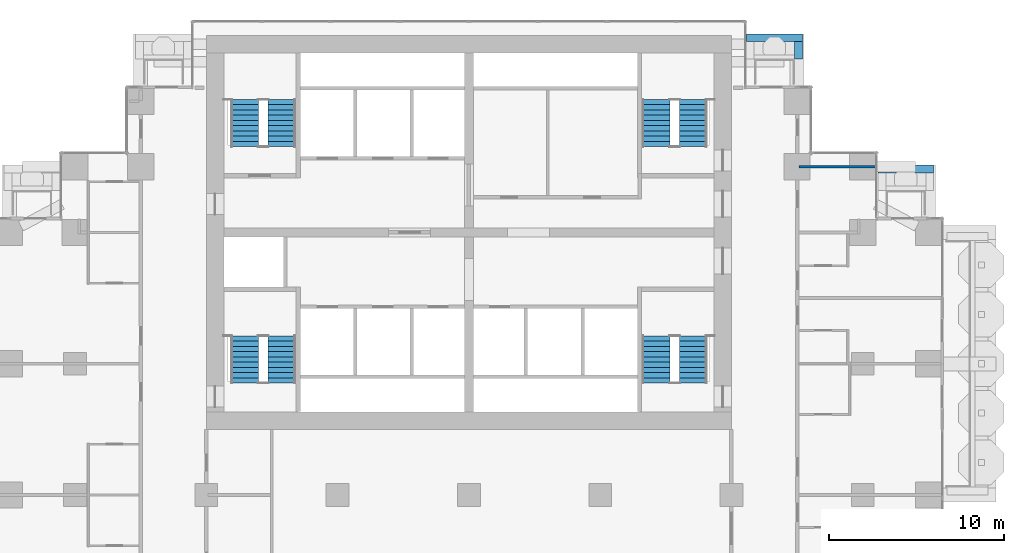
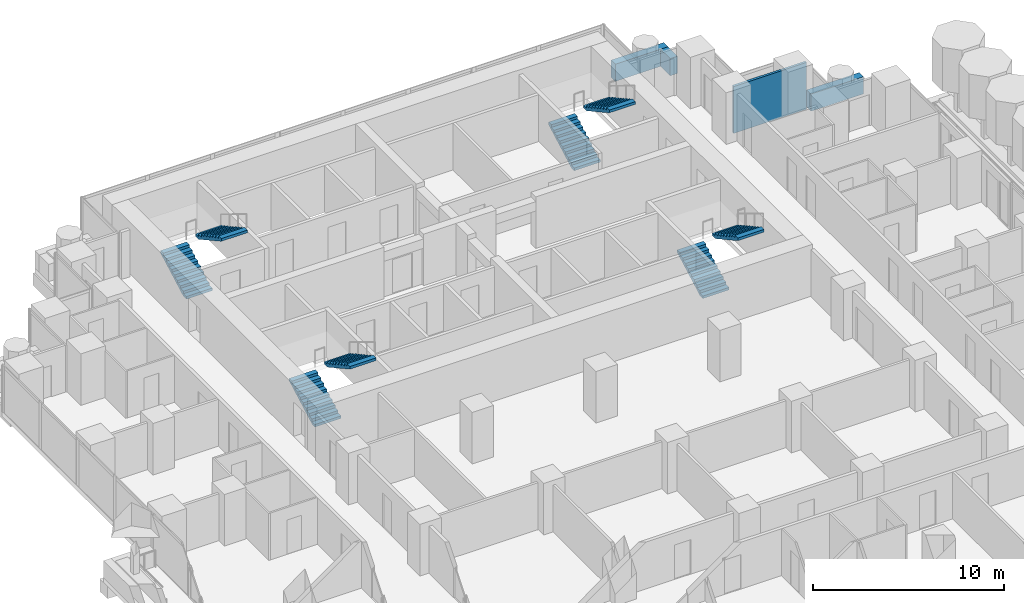
# One storey, part 16 of 19: 8 stair flights, 4 walls, 4 elements without a shape of their own.
"""IFC4 building model written with IfcOpenShell, lengths in metres."""

from ifc_helpers import new_model, si_unit, direction, frame, frame_2d, origin, place, context, subcontext, project, spatial, polyline, rectangle, outline, extrude, material, layer, layer_set, type_object, element, aggregate, save


model = new_model("IFC4")

# Units and contexts
model_context = context("Model", 3, precision=1e-05, world=origin(), true_north=direction((0.0, 1.0)))
body_context = subcontext(model_context, "Body", "Model", "MODEL_VIEW")
ifc_project = project(units=[si_unit("LENGTHUNIT", "METRE"), si_unit("AREAUNIT", "SQUARE_METRE"), si_unit("VOLUMEUNIT", "CUBIC_METRE"), si_unit("PLANEANGLEUNIT", "RADIAN"), si_unit("MASSUNIT", "GRAM", prefix="KILO")], contexts=[model_context])

# Site, building, storey
site_placement = place(None, origin())
site = spatial("IfcSite", under=ifc_project, at=site_placement, CompositionType="ELEMENT")
building_placement = place(site_placement, origin())
building = spatial("IfcBuilding", under=site, at=building_placement, Name="Pilkhan Gate Tower", CompositionType="ELEMENT")
storey_placement = place(building_placement, frame((0.0, 0.0, 79.10009765625)))
storey = spatial("IfcBuildingStorey", under=building, at=storey_placement, Name="L18", CompositionType="ELEMENT", Elevation=79.10009765625)

# Walls
ifc_material_1 = material(Name="Board-marked Concrete C40/50", Category="concrete")
ifc_layer_1 = layer(ifc_material_1, 0.449951171875)
ifc_layer_set_1 = layer_set([ifc_layer_1], Name="Balcony planter lip BL450")
wall_type_1 = type_object("IfcWallType", Name="Balcony planter lip BL450", PredefinedType="USERDEFINED", material=ifc_layer_set_1)
wall_1_placement = place(storey_placement, frame((90.85009765625, 93.625, 0.0), z_axis=(0.0, 0.0, 1.0), x_axis=(1.0, 0.0, 0.0)))
element("IfcWall", 1, at=wall_1_placement, inside=storey, type_object=wall_type_1, Name="Balcony planter L18 N", ObjectType="BALCONY PLANTER", PredefinedType="USERDEFINED", context=body_context, shape_type="SweptSolid", body=[
    extrude(rectangle(XDim=3.199951171875, YDim=0.449951171875, at=frame_2d((1.60009765625, 0.0))), origin(), (0.0, 0.0, 1.0), 1.099853515625),
])
wall_2_placement = place(storey_placement, frame((93.824951171875, 92.39990234375, 0.0), z_axis=(0.0, 0.0, 1.0), x_axis=(0.0, 1.0, 0.0)))
element("IfcWall", 2, at=wall_2_placement, inside=storey, type_object=wall_type_1, Name="Balcony planter L18 N", ObjectType="BALCONY PLANTER", PredefinedType="USERDEFINED", context=body_context, shape_type="SweptSolid", body=[
    extrude(rectangle(XDim=1.0, YDim=0.449951171875, at=frame_2d((0.5, 0.0))), origin(), (0.0, 0.0, 1.0), 1.099853515625),
])
wall_3_placement = place(storey_placement, frame((98.3701171875, 86.125, 0.0), z_axis=(0.0, 0.0, 1.0), x_axis=(1.0, 0.0, 0.0)))
element("IfcWall", 3, at=wall_3_placement, inside=storey, type_object=wall_type_1, Name="Balcony planter L18 N", ObjectType="BALCONY PLANTER", PredefinedType="USERDEFINED", context=body_context, shape_type="SweptSolid", body=[
    extrude(rectangle(XDim=3.179931640625, YDim=0.449951171875, at=frame_2d((1.58984375, 0.0))), origin(), (0.0, 0.0, 1.0), 1.099853515625),
])
ifc_material_2 = material(Name="Blockwork partition, plastered both sides", Category="masonry")
ifc_layer_2 = layer(ifc_material_2, 0.14990234375)
ifc_layer_set_2 = layer_set([ifc_layer_2], Name="Partition PW150")
wall_type_2 = type_object("IfcWallType", Name="Partition PW150", PredefinedType="PARTITIONING", material=ifc_layer_set_2)
wall_4_placement = place(storey_placement, frame((93.85009765625, 86.25, 0.0), z_axis=(0.0, 0.0, 1.0), x_axis=(1.0, 0.0, 0.0)))
element("IfcWall", 4, at=wall_4_placement, inside=storey, type_object=wall_type_2, Name="Partition L18", PredefinedType="PARTITIONING", context=body_context, shape_type="SweptSolid", body=[
    extrude(rectangle(XDim=4.414794921875, YDim=0.14990234375, at=frame_2d((2.20751953125, 0.0))), origin(), (0.0, 0.0, 1.0), 3.0),
])

# Stair, stair flights
ifc_material_3 = material(Name="Concrete C40/50 precast", Category="concrete")
stair_type_1 = type_object("IfcStairType", Name="Stair ST1 165x300", PredefinedType="HALF_TURN_STAIR", material=ifc_material_3)
stair_1_placement = place(storey_placement, origin())
stair_1 = element("IfcStair", 5, at=stair_1_placement, inside=storey, type_object=stair_type_1, Name="Stair ST1 L18", PredefinedType="HALF_TURN_STAIR")
stair_flight_type_1 = type_object("IfcStairFlightType", Name="Stair flight ST1 165x300x10", PredefinedType="STRAIGHT", material=ifc_material_3)
stair_flight_1_placement = place(storey_placement, frame((85.68994140625, 73.89990234375, 0.0), z_axis=(0.0, 0.0, 1.0), x_axis=(0.0, 1.0, 0.0)))
stair_flight_1 = element("IfcStairFlight", 6, at=stair_flight_1_placement, type_object=stair_flight_type_1, Name="ST1 flight 1", NumberOfRisers=10, NumberOfTreads=9, PredefinedType="STRAIGHT", RiserHeight=0.165, TreadLength=0.3, context=body_context, shape_type="SweptSolid", body=[
    extrude(outline(polyline([(0.0, 0.0), (0.0, 0.1650390625), (0.300048828125, 0.1650390625), (0.300048828125, 0.330078125), (0.60009765625, 0.330078125), (0.60009765625, 0.4951171875), (0.89990234375, 0.4951171875), (0.89990234375, 0.659912109375), (1.199951171875, 0.659912109375), (1.199951171875, 0.824951171875), (1.5, 0.824951171875), (1.5, 0.989990234375), (1.800048828125, 0.989990234375), (1.800048828125, 1.155029296875), (2.10009765625, 1.155029296875), (2.10009765625, 1.320068359375), (2.39990234375, 1.320068359375), (2.39990234375, 1.485107421875), (2.699951171875, 1.485107421875), (2.699951171875, 1.64990234375), (2.699951171875, 1.31396484375), (0.31103515625, 0.0), (0.0, 0.0)])), frame((0.0, 0.7900390625, 0.0), z_axis=(0.0, -1.0, 0.0), x_axis=(1.0, 0.0, 0.0)), (0.0, 0.0, 1.0), 1.580078125),
])
stair_flight_2_placement = place(storey_placement, frame((87.81005859375, 76.60009765625, 1.64990234375), z_axis=(0.0, 0.0, 1.0), x_axis=(0.0, -1.0, 0.0)))
stair_flight_2 = element("IfcStairFlight", 7, at=stair_flight_2_placement, type_object=stair_flight_type_1, Name="ST1 flight 2", NumberOfRisers=10, NumberOfTreads=9, PredefinedType="STRAIGHT", RiserHeight=0.165, TreadLength=0.3, context=body_context, shape_type="SweptSolid", body=[
    extrude(outline(polyline([(0.0, 0.0), (0.0, 0.1650390625), (0.300048828125, 0.1650390625), (0.300048828125, 0.330078125), (0.60009765625, 0.330078125), (0.60009765625, 0.4951171875), (0.89990234375, 0.4951171875), (0.89990234375, 0.659912109375), (1.199951171875, 0.659912109375), (1.199951171875, 0.824951171875), (1.5, 0.824951171875), (1.5, 0.989990234375), (1.800048828125, 0.989990234375), (1.800048828125, 1.155029296875), (2.10009765625, 1.155029296875), (2.10009765625, 1.320068359375), (2.39990234375, 1.320068359375), (2.39990234375, 1.485107421875), (2.699951171875, 1.485107421875), (2.699951171875, 1.64990234375), (2.699951171875, 1.31396484375), (0.31103515625, 0.0), (0.0, 0.0)])), frame((0.0, 0.7900390625, 0.0), z_axis=(0.0, -1.0, 0.0), x_axis=(1.0, 0.0, 0.0)), (0.0, 0.0, 1.0), 1.580078125),
])
aggregate(stair_1, [stair_flight_1, stair_flight_2])

stair_type_2 = type_object("IfcStairType", Name="Stair ST2 165x300", PredefinedType="HALF_TURN_STAIR", material=ifc_material_3)
stair_2_placement = place(storey_placement, origin())
stair_2 = element("IfcStair", 8, at=stair_2_placement, inside=storey, type_object=stair_type_2, Name="Stair ST2 L18", PredefinedType="HALF_TURN_STAIR")
stair_flight_type_2 = type_object("IfcStairFlightType", Name="Stair flight ST2 165x300x10", PredefinedType="STRAIGHT", material=ifc_material_3)
stair_flight_3_placement = place(storey_placement, frame((62.18994140625, 73.89990234375, 0.0), z_axis=(0.0, 0.0, 1.0), x_axis=(0.0, 1.0, 0.0)))
stair_flight_3 = element("IfcStairFlight", 9, at=stair_flight_3_placement, type_object=stair_flight_type_2, Name="ST2 flight 1", NumberOfRisers=10, NumberOfTreads=9, PredefinedType="STRAIGHT", RiserHeight=0.165, TreadLength=0.3, context=body_context, shape_type="SweptSolid", body=[
    extrude(outline(polyline([(0.0, 0.0), (0.0, 0.1650390625), (0.300048828125, 0.1650390625), (0.300048828125, 0.330078125), (0.60009765625, 0.330078125), (0.60009765625, 0.4951171875), (0.89990234375, 0.4951171875), (0.89990234375, 0.659912109375), (1.199951171875, 0.659912109375), (1.199951171875, 0.824951171875), (1.5, 0.824951171875), (1.5, 0.989990234375), (1.800048828125, 0.989990234375), (1.800048828125, 1.155029296875), (2.10009765625, 1.155029296875), (2.10009765625, 1.320068359375), (2.39990234375, 1.320068359375), (2.39990234375, 1.485107421875), (2.699951171875, 1.485107421875), (2.699951171875, 1.64990234375), (2.699951171875, 1.31396484375), (0.31103515625, 0.0), (0.0, 0.0)])), frame((0.0, 0.7900390625, 0.0), z_axis=(0.0, -1.0, 0.0), x_axis=(1.0, 0.0, 0.0)), (0.0, 0.0, 1.0), 1.580078125),
])
stair_flight_4_placement = place(storey_placement, frame((64.31005859375, 76.60009765625, 1.64990234375), z_axis=(0.0, 0.0, 1.0), x_axis=(0.0, -1.0, 0.0)))
stair_flight_4 = element("IfcStairFlight", 10, at=stair_flight_4_placement, type_object=stair_flight_type_2, Name="ST2 flight 2", NumberOfRisers=10, NumberOfTreads=9, PredefinedType="STRAIGHT", RiserHeight=0.165, TreadLength=0.3, context=body_context, shape_type="SweptSolid", body=[
    extrude(outline(polyline([(0.0, 0.0), (0.0, 0.1650390625), (0.300048828125, 0.1650390625), (0.300048828125, 0.330078125), (0.60009765625, 0.330078125), (0.60009765625, 0.4951171875), (0.89990234375, 0.4951171875), (0.89990234375, 0.659912109375), (1.199951171875, 0.659912109375), (1.199951171875, 0.824951171875), (1.5, 0.824951171875), (1.5, 0.989990234375), (1.800048828125, 0.989990234375), (1.800048828125, 1.155029296875), (2.10009765625, 1.155029296875), (2.10009765625, 1.320068359375), (2.39990234375, 1.320068359375), (2.39990234375, 1.485107421875), (2.699951171875, 1.485107421875), (2.699951171875, 1.64990234375), (2.699951171875, 1.31396484375), (0.31103515625, 0.0), (0.0, 0.0)])), frame((0.0, 0.7900390625, 0.0), z_axis=(0.0, -1.0, 0.0), x_axis=(1.0, 0.0, 0.0)), (0.0, 0.0, 1.0), 1.580078125),
])
aggregate(stair_2, [stair_flight_3, stair_flight_4])

stair_type_3 = type_object("IfcStairType", Name="Stair ST3 165x300", PredefinedType="HALF_TURN_STAIR", material=ifc_material_3)
stair_3_placement = place(storey_placement, origin())
stair_3 = element("IfcStair", 11, at=stair_3_placement, inside=storey, type_object=stair_type_3, Name="Stair ST3 L18", PredefinedType="HALF_TURN_STAIR")
stair_flight_type_3 = type_object("IfcStairFlightType", Name="Stair flight ST3 165x300x10", PredefinedType="STRAIGHT", material=ifc_material_3)
stair_flight_5_placement = place(storey_placement, frame((62.18994140625, 87.39990234375, 0.0), z_axis=(0.0, 0.0, 1.0), x_axis=(0.0, 1.0, 0.0)))
stair_flight_5 = element("IfcStairFlight", 12, at=stair_flight_5_placement, type_object=stair_flight_type_3, Name="ST3 flight 1", NumberOfRisers=10, NumberOfTreads=9, PredefinedType="STRAIGHT", RiserHeight=0.165, TreadLength=0.3, context=body_context, shape_type="SweptSolid", body=[
    extrude(outline(polyline([(0.0, 0.0), (0.0, 0.1650390625), (0.300048828125, 0.1650390625), (0.300048828125, 0.330078125), (0.60009765625, 0.330078125), (0.60009765625, 0.4951171875), (0.89990234375, 0.4951171875), (0.89990234375, 0.659912109375), (1.199951171875, 0.659912109375), (1.199951171875, 0.824951171875), (1.5, 0.824951171875), (1.5, 0.989990234375), (1.800048828125, 0.989990234375), (1.800048828125, 1.155029296875), (2.10009765625, 1.155029296875), (2.10009765625, 1.320068359375), (2.39990234375, 1.320068359375), (2.39990234375, 1.485107421875), (2.699951171875, 1.485107421875), (2.699951171875, 1.64990234375), (2.699951171875, 1.31396484375), (0.31103515625, 0.0), (0.0, 0.0)])), frame((0.0, 0.7900390625, 0.0), z_axis=(0.0, -1.0, 0.0), x_axis=(1.0, 0.0, 0.0)), (0.0, 0.0, 1.0), 1.580078125),
])
stair_flight_6_placement = place(storey_placement, frame((64.31005859375, 90.10009765625, 1.64990234375), z_axis=(0.0, 0.0, 1.0), x_axis=(0.0, -1.0, 0.0)))
stair_flight_6 = element("IfcStairFlight", 13, at=stair_flight_6_placement, type_object=stair_flight_type_3, Name="ST3 flight 2", NumberOfRisers=10, NumberOfTreads=9, PredefinedType="STRAIGHT", RiserHeight=0.165, TreadLength=0.3, context=body_context, shape_type="SweptSolid", body=[
    extrude(outline(polyline([(0.0, 0.0), (0.0, 0.1650390625), (0.300048828125, 0.1650390625), (0.300048828125, 0.330078125), (0.60009765625, 0.330078125), (0.60009765625, 0.4951171875), (0.89990234375, 0.4951171875), (0.89990234375, 0.659912109375), (1.199951171875, 0.659912109375), (1.199951171875, 0.824951171875), (1.5, 0.824951171875), (1.5, 0.989990234375), (1.800048828125, 0.989990234375), (1.800048828125, 1.155029296875), (2.10009765625, 1.155029296875), (2.10009765625, 1.320068359375), (2.39990234375, 1.320068359375), (2.39990234375, 1.485107421875), (2.699951171875, 1.485107421875), (2.699951171875, 1.64990234375), (2.699951171875, 1.31396484375), (0.31103515625, 0.0), (0.0, 0.0)])), frame((0.0, 0.7900390625, 0.0), z_axis=(0.0, -1.0, 0.0), x_axis=(1.0, 0.0, 0.0)), (0.0, 0.0, 1.0), 1.580078125),
])
aggregate(stair_3, [stair_flight_5, stair_flight_6])

stair_type_4 = type_object("IfcStairType", Name="Stair ST4 165x300", PredefinedType="HALF_TURN_STAIR", material=ifc_material_3)
stair_4_placement = place(storey_placement, origin())
stair_4 = element("IfcStair", 14, at=stair_4_placement, inside=storey, type_object=stair_type_4, Name="Stair ST4 L18", PredefinedType="HALF_TURN_STAIR")
stair_flight_type_4 = type_object("IfcStairFlightType", Name="Stair flight ST4 165x300x10", PredefinedType="STRAIGHT", material=ifc_material_3)
stair_flight_7_placement = place(storey_placement, frame((85.68994140625, 87.39990234375, 0.0), z_axis=(0.0, 0.0, 1.0), x_axis=(0.0, 1.0, 0.0)))
stair_flight_7 = element("IfcStairFlight", 15, at=stair_flight_7_placement, type_object=stair_flight_type_4, Name="ST4 flight 1", NumberOfRisers=10, NumberOfTreads=9, PredefinedType="STRAIGHT", RiserHeight=0.165, TreadLength=0.3, context=body_context, shape_type="SweptSolid", body=[
    extrude(outline(polyline([(0.0, 0.0), (0.0, 0.1650390625), (0.300048828125, 0.1650390625), (0.300048828125, 0.330078125), (0.60009765625, 0.330078125), (0.60009765625, 0.4951171875), (0.89990234375, 0.4951171875), (0.89990234375, 0.659912109375), (1.199951171875, 0.659912109375), (1.199951171875, 0.824951171875), (1.5, 0.824951171875), (1.5, 0.989990234375), (1.800048828125, 0.989990234375), (1.800048828125, 1.155029296875), (2.10009765625, 1.155029296875), (2.10009765625, 1.320068359375), (2.39990234375, 1.320068359375), (2.39990234375, 1.485107421875), (2.699951171875, 1.485107421875), (2.699951171875, 1.64990234375), (2.699951171875, 1.31396484375), (0.31103515625, 0.0), (0.0, 0.0)])), frame((0.0, 0.7900390625, 0.0), z_axis=(0.0, -1.0, 0.0), x_axis=(1.0, 0.0, 0.0)), (0.0, 0.0, 1.0), 1.580078125),
])
stair_flight_8_placement = place(storey_placement, frame((87.81005859375, 90.10009765625, 1.64990234375), z_axis=(0.0, 0.0, 1.0), x_axis=(0.0, -1.0, 0.0)))
stair_flight_8 = element("IfcStairFlight", 16, at=stair_flight_8_placement, type_object=stair_flight_type_4, Name="ST4 flight 2", NumberOfRisers=10, NumberOfTreads=9, PredefinedType="STRAIGHT", RiserHeight=0.165, TreadLength=0.3, context=body_context, shape_type="SweptSolid", body=[
    extrude(outline(polyline([(0.0, 0.0), (0.0, 0.1650390625), (0.300048828125, 0.1650390625), (0.300048828125, 0.330078125), (0.60009765625, 0.330078125), (0.60009765625, 0.4951171875), (0.89990234375, 0.4951171875), (0.89990234375, 0.659912109375), (1.199951171875, 0.659912109375), (1.199951171875, 0.824951171875), (1.5, 0.824951171875), (1.5, 0.989990234375), (1.800048828125, 0.989990234375), (1.800048828125, 1.155029296875), (2.10009765625, 1.155029296875), (2.10009765625, 1.320068359375), (2.39990234375, 1.320068359375), (2.39990234375, 1.485107421875), (2.699951171875, 1.485107421875), (2.699951171875, 1.64990234375), (2.699951171875, 1.31396484375), (0.31103515625, 0.0), (0.0, 0.0)])), frame((0.0, 0.7900390625, 0.0), z_axis=(0.0, -1.0, 0.0), x_axis=(1.0, 0.0, 0.0)), (0.0, 0.0, 1.0), 1.580078125),
])
aggregate(stair_4, [stair_flight_7, stair_flight_8])

save(model, "model.ifc")
